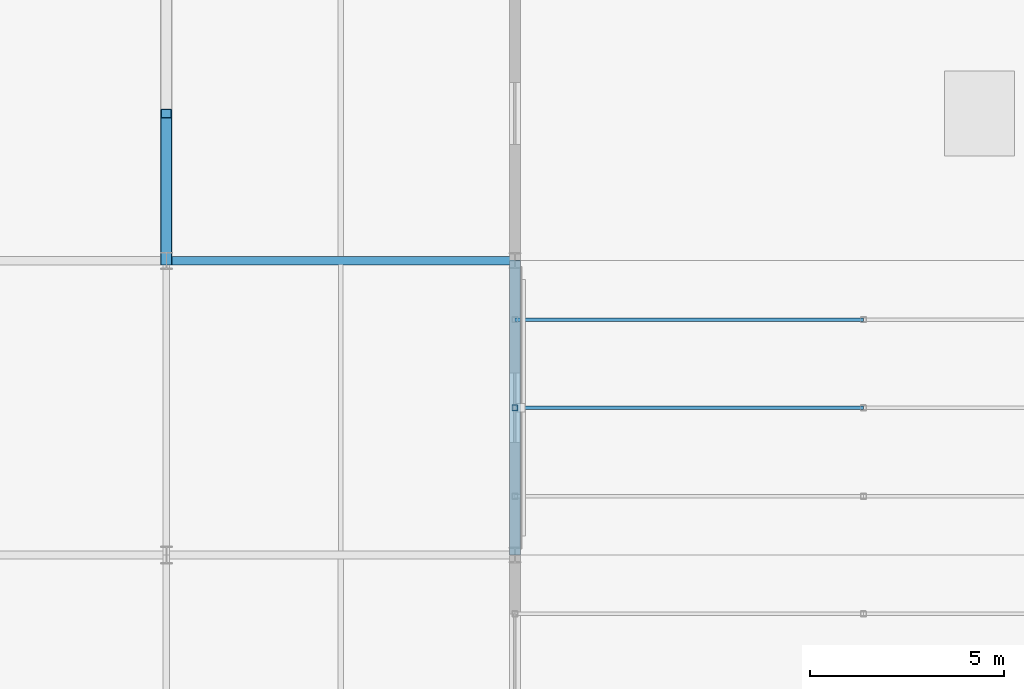
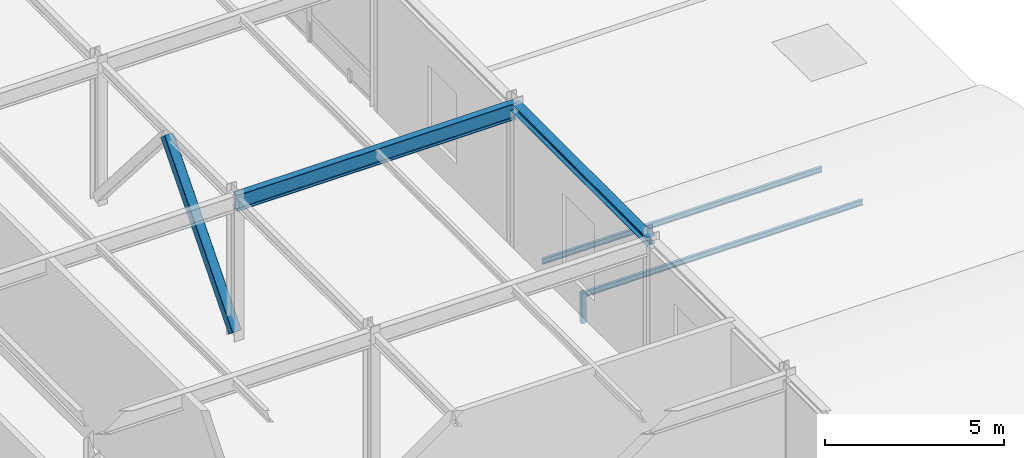
# One storey, part 58 of 113: 4 members, 2 beams.
"""IFC4 building model written with IfcOpenShell, lengths in metres."""

from ifc_helpers import new_model, si_unit, direction, frame, origin, origin_2d, place, context, subcontext, project, spatial, hollow_rectangle, i_section, extrude, material, material_profile, profile_set, type_object, element, save


model = new_model("IFC4")

# Units and contexts
model_context = context("Model", 3, precision=1e-05, world=origin(), true_north=direction((0.0, 1.0)))
body_context = subcontext(model_context, "Body", "Model", "MODEL_VIEW")
ifc_project = project(units=[si_unit("LENGTHUNIT", "METRE"), si_unit("AREAUNIT", "SQUARE_METRE"), si_unit("VOLUMEUNIT", "CUBIC_METRE"), si_unit("PLANEANGLEUNIT", "RADIAN"), si_unit("MASSUNIT", "GRAM", prefix="KILO")], contexts=[model_context])

# Site, building, storey
site_placement = place(None, origin())
site = spatial("IfcSite", under=ifc_project, at=site_placement, CompositionType="ELEMENT")
building_placement = place(site_placement, origin())
building = spatial("IfcBuilding", under=site, at=building_placement, Name="Shalkamar Park Central Library", CompositionType="ELEMENT")
storey_placement = place(building_placement, frame((0.0, 0.0, 5.39990234375)))
storey = spatial("IfcBuildingStorey", under=building, at=storey_placement, Name="L02", CompositionType="ELEMENT", Elevation=5.39990234375)

# Members
ifc_material = material(Name="Steel S355", Category="steel")
ifc_material_profile_1 = material_profile(ifc_material, hollow_rectangle(XDim=0.14990234375, YDim=0.14990234375, WallThickness=0.008056640625, InnerFilletRadius=0.008056640625, OuterFilletRadius=0.011962890625, at=origin_2d()), Name="SHS 150x150x8")
ifc_profile_set_1 = profile_set([ifc_material_profile_1], Name="Steel S355")
member_type_1 = type_object("IfcMemberType", Name="Diagonal Brace SHS150", PredefinedType="BRACE", material=ifc_profile_set_1)
member_1_placement = place(storey_placement, frame((273.0, 266.60009765625, -0.35986328125), z_axis=(0.0, 0.0, 1.0), x_axis=(1.0, 0.0, 0.0)))
element("IfcMember", 1, at=member_1_placement, inside=storey, type_object=member_type_1, Name="Vault Arch Post BV-L01-E3-20.2", PredefinedType="BRACE", context=body_context, shape_type="SweptSolid", body=[
    extrude(hollow_rectangle(XDim=0.14990234375, YDim=0.14990234375, WallThickness=0.008056640625, InnerFilletRadius=0.008056640625, OuterFilletRadius=0.011962890625, at=origin_2d()), origin(), (0.0, 0.0, 1.0), 1.0400390625),
])
ifc_material_profile_2 = material_profile(ifc_material, hollow_rectangle(XDim=0.300048828125, YDim=0.300048828125, WallThickness=0.01611328125, InnerFilletRadius=0.01611328125, OuterFilletRadius=0.02392578125, at=origin_2d()), Name="SHS 300x300x16")
ifc_profile_set_2 = profile_set([ifc_material_profile_2], Name="Steel S355")
member_type_2 = type_object("IfcMemberType", Name="Diagonal Brace SHS300", PredefinedType="BRACE", material=ifc_profile_set_2)
member_2_placement = place(storey_placement, frame((264.0, 270.39990234375, 0.150146484375), z_axis=(0.0, 0.652781978733, 0.757545832436), x_axis=(-1.0, 0.0, 0.0)))
element("IfcMember", 2, at=member_2_placement, inside=storey, type_object=member_type_2, Name="Chevron Brace PD-E Leg A (L02)", PredefinedType="BRACE", context=body_context, shape_type="SweptSolid", body=[
    extrude(hollow_rectangle(XDim=0.300048828125, YDim=0.300048828125, WallThickness=0.01611328125, InnerFilletRadius=0.01611328125, OuterFilletRadius=0.02392578125, at=origin_2d()), origin(), (0.0, 0.0, 1.0), 5.8212890625),
])

# Beams
ifc_material_profile_3 = material_profile(ifc_material, i_section(OverallWidth=0.280029296875, OverallDepth=0.27001953125, WebThickness=0.008056640625, FlangeThickness=0.012939453125, FilletRadius=0.02392578125, at=origin_2d()), Name="HEA 280")
ifc_profile_set_3 = profile_set([ifc_material_profile_3], Name="Steel S355")
beam_type_1 = type_object("IfcBeamType", Name="Perimeter Spandrel Beam HEA280", PredefinedType="SPANDREL", material=ifc_profile_set_3)
beam_1_placement = place(storey_placement, frame((273.0, 262.800048828125, 4.72509765625), z_axis=(0.0, 1.0, 0.0), x_axis=(-1.0, 0.0, 0.0)))
element("IfcBeam", 3, at=beam_1_placement, inside=storey, type_object=beam_type_1, Name="Beam 20:D-E (L02)", PredefinedType="SPANDREL", context=body_context, shape_type="SweptSolid", body=[
    extrude(i_section(OverallWidth=0.280029296875, OverallDepth=0.27001953125, WebThickness=0.008056640625, FlangeThickness=0.012939453125, FilletRadius=0.02392578125, at=origin_2d()), origin(), (0.0, 0.0, 1.0), 7.599853515625),
])
ifc_material_profile_4 = material_profile(ifc_material, i_section(OverallWidth=0.2099609375, OverallDepth=0.550048828125, WebThickness=0.010986328125, FlangeThickness=0.01708984375, FilletRadius=0.02392578125, at=origin_2d()), Name="IPE 550")
ifc_profile_set_4 = profile_set([ifc_material_profile_4], Name="Steel S355")
beam_type_2 = type_object("IfcBeamType", Name="Primary Girder IPE550", PredefinedType="BEAM", material=ifc_profile_set_4)
beam_2_placement = place(storey_placement, frame((264.0, 270.39990234375, 4.585205078125), z_axis=(1.0, 0.0, 0.0), x_axis=(0.0, 1.0, 0.0)))
element("IfcBeam", 4, at=beam_2_placement, inside=storey, type_object=beam_type_2, Name="Beam E:19-20 (L02)", PredefinedType="BEAM", context=body_context, shape_type="SweptSolid", body=[
    extrude(i_section(OverallWidth=0.2099609375, OverallDepth=0.550048828125, WebThickness=0.010986328125, FlangeThickness=0.01708984375, FilletRadius=0.02392578125, at=origin_2d()), origin(), (0.0, 0.0, 1.0), 9.0),
])

# Members
ifc_material_profile_5 = material_profile(ifc_material, i_section(OverallWidth=0.091064453125, OverallDepth=0.179931640625, WebThickness=0.00537109375, FlangeThickness=0.008056640625, FilletRadius=0.009033203125, at=origin_2d()), Name="IPE 180")
ifc_profile_set_5 = profile_set([ifc_material_profile_5], Name="Steel S355")
member_type_3 = type_object("IfcMemberType", Name="Roof Purlin IPE180", PredefinedType="PURLIN", material=ifc_profile_set_5)
for number, where, z_axis, x_axis, name in (
    (5, (273.0, 266.60009765625, 0.590087890625), (1.0, 0.0, 0.0), (0.0, 1.0, 0.0), "Barrel Roof Purlin BV-L01-E3-2.20"),
    (6, (273.0, 268.8798828125, 0.330810546875), (1.0, 0.0, 0.0), (0.0, 1.0, 0.0), "Barrel Roof Purlin BV-L01-E3-3.20"),
):
    element("IfcMember", number, at=place(storey_placement, frame(where, z_axis=z_axis, x_axis=x_axis)), inside=storey, type_object=member_type_3, Name=name, PredefinedType="PURLIN", context=body_context, shape_type="SweptSolid", body=[
        extrude(i_section(OverallWidth=0.091064453125, OverallDepth=0.179931640625, WebThickness=0.00537109375, FlangeThickness=0.008056640625, FilletRadius=0.009033203125, at=origin_2d()), origin(), (0.0, 0.0, 1.0), 9.0),
    ])

save(model, "model.ifc")
